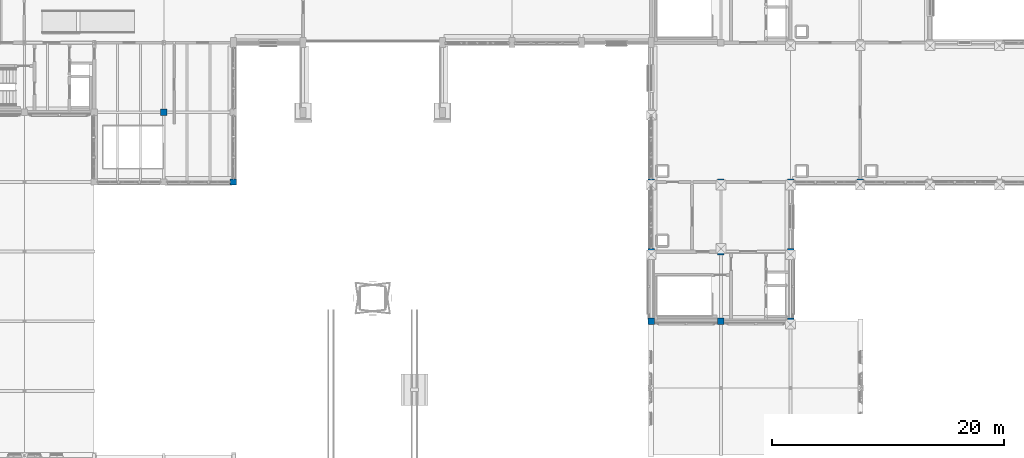
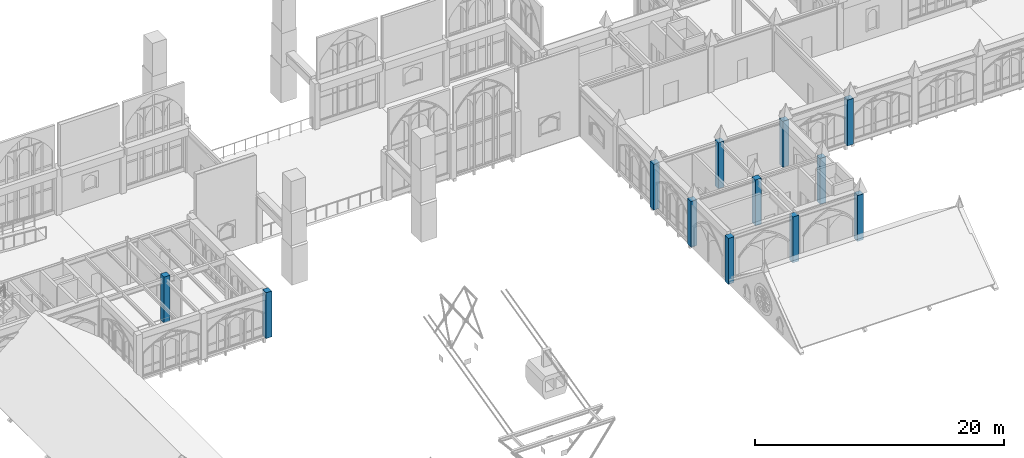
# One storey, part 3 of 108: 12 columns.
"""IFC4 building model written with IfcOpenShell, lengths in metres."""

from ifc_helpers import new_model, si_unit, direction, frame, origin, origin_2d, place, context, subcontext, project, spatial, rectangle, extrude, material, material_profile, profile_set, type_object, element, save


model = new_model("IFC4")

# Units and contexts
model_context = context("Model", 3, precision=1e-05, world=origin(), true_north=direction((0.0, 1.0)))
body_context = subcontext(model_context, "Body", "Model", "MODEL_VIEW")
ifc_project = project(units=[si_unit("LENGTHUNIT", "METRE"), si_unit("AREAUNIT", "SQUARE_METRE"), si_unit("VOLUMEUNIT", "CUBIC_METRE"), si_unit("PLANEANGLEUNIT", "RADIAN"), si_unit("MASSUNIT", "GRAM", prefix="KILO")], contexts=[model_context])

# Site, building, storey
site_placement = place(None, origin())
site = spatial("IfcSite", under=ifc_project, at=site_placement, CompositionType="ELEMENT")
building_placement = place(site_placement, origin())
building = spatial("IfcBuilding", under=site, at=building_placement, Name="Cumevento Cable Car Station", CompositionType="ELEMENT")
storey_placement = place(building_placement, frame((0.0, 0.0, 13.5)))
storey = spatial("IfcBuildingStorey", under=building, at=storey_placement, Name="L04", CompositionType="ELEMENT", Elevation=13.5)

# Columns
ifc_material = material(Name="Concrete C40/50", Category="concrete")
ifc_material_profile = material_profile(ifc_material, rectangle(XDim=0.550048828125, YDim=0.550048828125, at=origin_2d()), Name="RC550x550")
ifc_profile_set = profile_set([ifc_material_profile], Name="Concrete C40/50")
column_type = type_object("IfcColumnType", Name="Column C-RC550 RC550x550", PredefinedType="COLUMN", material=ifc_profile_set)
for number, where, z_axis, x_axis, name in (
    (1, (76.0, 39.0, 0.0), (0.0, 0.0, 1.0), (1.0, 0.0, 0.0), "Column C-RC550 L04 (76.0,39.0)"),
    (2, (82.0, 33.0, 0.0), (0.0, 0.0, 1.0), (1.0, 0.0, 0.0), "Column C-RC550 L04 (82.0,33.0)"),
    (3, (118.0, 21.0, 0.0), (0.0, 0.0, 1.0), (1.0, 0.0, 0.0), "Column C-RC550 L04 (118.0,21.0)"),
    (4, (118.0, 27.0, 0.0), (0.0, 0.0, 1.0), (1.0, 0.0, 0.0), "Column C-RC550 L04 (118.0,27.0)"),
    (5, (118.0, 33.0, 0.0), (0.0, 0.0, 1.0), (1.0, 0.0, 0.0), "Column C-RC550 L04 (118.0,33.0)"),
    (6, (124.0, 21.0, 0.0), (0.0, 0.0, 1.0), (1.0, 0.0, 0.0), "Column C-RC550 L04 (124.0,21.0)"),
    (7, (124.0, 27.0, 0.0), (0.0, 0.0, 1.0), (1.0, 0.0, 0.0), "Column C-RC550 L04 (124.0,27.0)"),
    (8, (124.0, 33.0, 0.0), (0.0, 0.0, 1.0), (1.0, 0.0, 0.0), "Column C-RC550 L04 (124.0,33.0)"),
    (9, (130.0, 21.0, 0.0), (0.0, 0.0, 1.0), (1.0, 0.0, 0.0), "Column C-RC550 L04 (130.0,21.0)"),
    (10, (130.0, 27.0, 0.0), (0.0, 0.0, 1.0), (1.0, 0.0, 0.0), "Column C-RC550 L04 (130.0,27.0)"),
    (11, (130.0, 33.0, 0.0), (0.0, 0.0, 1.0), (1.0, 0.0, 0.0), "Column C-RC550 L04 (130.0,33.0)"),
    (12, (136.0, 33.0, 0.0), (0.0, 0.0, 1.0), (1.0, 0.0, 0.0), "Column C-RC550 L04 (136.0,33.0)"),
):
    element("IfcColumn", number, at=place(storey_placement, frame(where, z_axis=z_axis, x_axis=x_axis)), inside=storey, type_object=column_type, Name=name, PredefinedType="COLUMN", context=body_context, shape_type="SweptSolid", body=[
        extrude(rectangle(XDim=0.550048828125, YDim=0.550048828125, at=origin_2d()), origin(), (0.0, 0.0, 1.0), 4.5),
    ])

save(model, "model.ifc")
